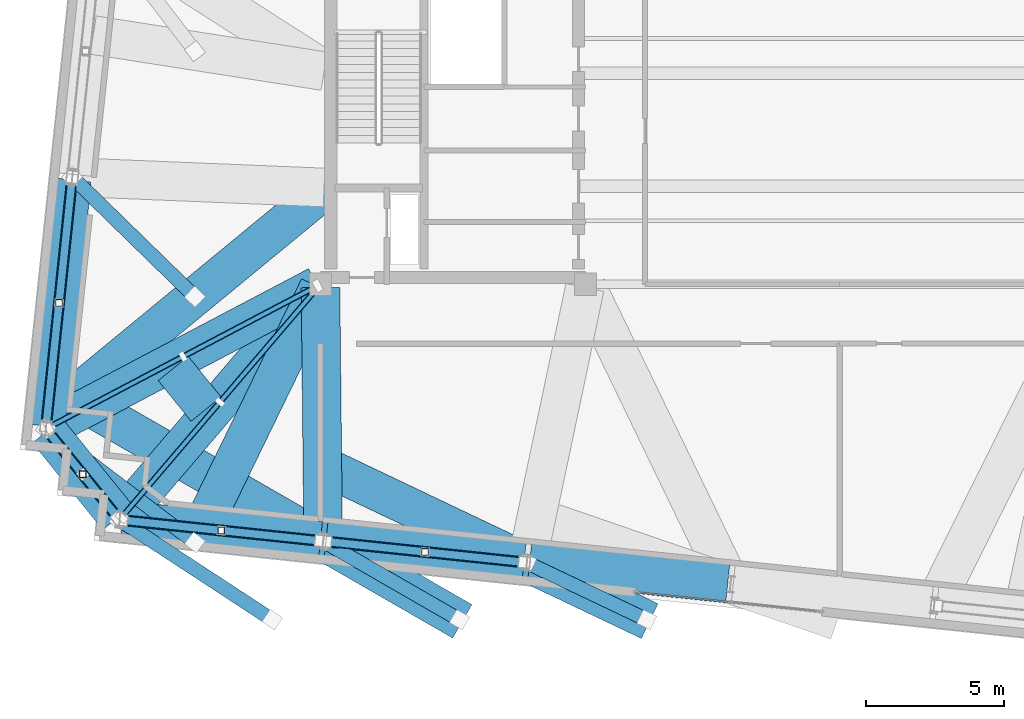
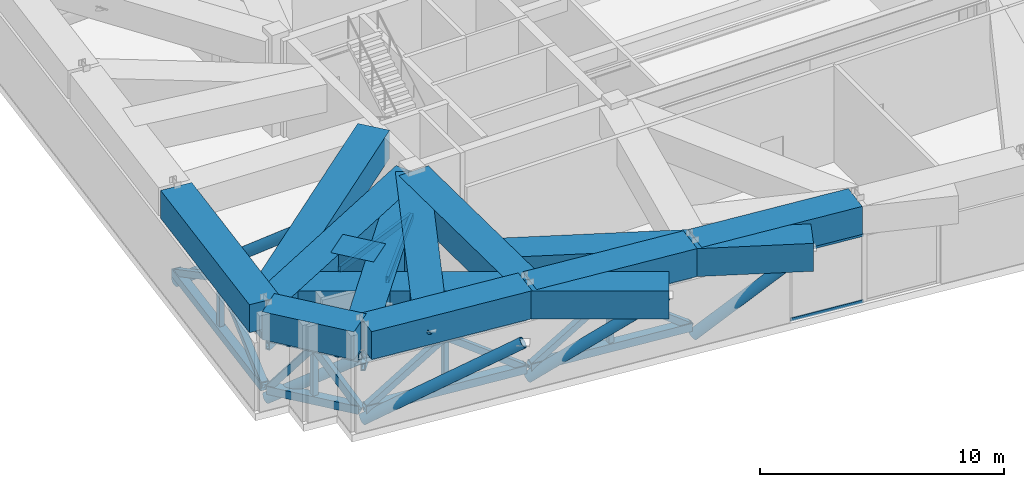
# One storey, part 4 of 21: 33 members, 13 beams, 1 element without a shape of its own.
"""IFC4 building model written with IfcOpenShell, lengths in metres."""

from ifc_helpers import new_model, si_unit, direction, frame, origin, origin_2d, place, context, subcontext, project, spatial, rectangle, hollow_rectangle, hollow_circle, extrude, material, layer, layer_set, material_profile, profile_set, type_object, element, aggregate, save


model = new_model("IFC4")

# Units and contexts
model_context = context("Model", 3, precision=1e-05, world=origin(), true_north=direction((0.0, 1.0)))
body_context = subcontext(model_context, "Body", "Model", "MODEL_VIEW")
ifc_project = project(units=[si_unit("LENGTHUNIT", "METRE"), si_unit("AREAUNIT", "SQUARE_METRE"), si_unit("VOLUMEUNIT", "CUBIC_METRE"), si_unit("PLANEANGLEUNIT", "RADIAN"), si_unit("MASSUNIT", "GRAM", prefix="KILO")], contexts=[model_context])

# Site, building, storey
site_placement = place(None, origin())
site = spatial("IfcSite", under=ifc_project, at=site_placement, CompositionType="ELEMENT")
building_placement = place(site_placement, origin())
building = spatial("IfcBuilding", under=site, at=building_placement, Name="Qobustan Lattice House", CompositionType="ELEMENT")
storey_placement = place(building_placement, frame((0.0, 0.0, 223.199951171875)))
storey = spatial("IfcBuildingStorey", under=building, at=storey_placement, Name="L63", CompositionType="ELEMENT", Elevation=223.199951171875)

# Beams
ifc_material_1 = material(Name="Concrete C60/75", Category="concrete")
ifc_material_profile_1 = material_profile(ifc_material_1, rectangle(XDim=1.39990234375, YDim=1.39990234375, at=origin_2d()), Name="RC1400x1400")
ifc_profile_set_1 = profile_set([ifc_material_profile_1], Name="Concrete C60/75")
beam_type = type_object("IfcBeamType", Name="BM-TRG-RC1400", PredefinedType="USERDEFINED", material=ifc_profile_set_1)
for number, where, z_axis, x_axis, name in (
    (1, (-25.9794921875, -14.14306640625, 4.1201171875), (0.994524529937, -0.104503393985, 0.0), (0.104503393985, 0.994524529937, 0.0), "L63 TT4 lower perimeter transfer girder S1-S2"),
    (2, (-18.603515625, -14.918212890625, 4.1201171875), (0.994521013309, -0.10453685516, 0.0), (0.10453685516, 0.994521013309, 0.0), "L63 TT4 lower perimeter transfer girder S2-S3"),
    (3, (-11.227294921875, -15.693603515625, 4.1201171875), (0.994524529937, -0.104503393985, 0.0), (0.104503393985, 0.994524529937, 0.0), "L63 TT4 lower perimeter transfer girder S3-S4"),
):
    element("IfcBeam", number, at=place(storey_placement, frame(where, z_axis=z_axis, x_axis=x_axis)), inside=storey, type_object=beam_type, Name=name, ObjectType="GIRDER", PredefinedType="USERDEFINED", context=body_context, shape_type="SweptSolid", body=[
        extrude(rectangle(XDim=1.39990234375, YDim=1.39990234375, at=origin_2d()), origin(), (0.0, 0.0, 1.0), 7.216552734375),
    ])
beam_1_placement = place(storey_placement, frame((-27.80126953125, -1.818359375, 4.1201171875), z_axis=(-0.104500528433, -0.994524831041, 0.0), x_axis=(0.994524831041, -0.104500528433, 0.0)))
element("IfcBeam", 4, at=beam_1_placement, inside=storey, type_object=beam_type, Name="L63 TT4 lower perimeter transfer girder W3-W4", ObjectType="GIRDER", PredefinedType="USERDEFINED", context=body_context, shape_type="SweptSolid", body=[
    extrude(rectangle(XDim=1.39990234375, YDim=1.39990234375, at=origin_2d()), origin(), (0.0, 0.0, 1.0), 8.966552734375),
])
beam_2_placement = place(storey_placement, frame((-28.68603515625, -10.9130859375, 4.1201171875), z_axis=(0.629345888362, -0.777125313448, 0.0), x_axis=(0.777125313448, 0.629345888362, 0.0)))
element("IfcBeam", 5, at=beam_2_placement, inside=storey, type_object=beam_type, Name="L63 TT4 lower perimeter transfer girder W4-S1", ObjectType="GIRDER", PredefinedType="USERDEFINED", context=body_context, shape_type="SweptSolid", body=[
    extrude(rectangle(XDim=1.39990234375, YDim=1.39990234375, at=origin_2d()), origin(), (0.0, 0.0, 1.0), 4.04248046875),
])
beam_3_placement = place(storey_placement, frame((-18.8779296875, -5.69140625, 4.1201171875), z_axis=(-0.6490181811, -0.760772896864, 0.0), x_axis=(0.760772896864, -0.6490181811, 0.0)))
element("IfcBeam", 6, at=beam_3_placement, inside=storey, type_object=beam_type, Name="L63 TT4 radial transfer girder S1", ObjectType="GIRDER", PredefinedType="USERDEFINED", context=body_context, shape_type="SweptSolid", body=[
    extrude(rectangle(XDim=1.39990234375, YDim=1.39990234375, at=origin_2d()), origin(), (0.0, 0.0, 1.0), 10.9755859375),
])
beam_4_placement = place(storey_placement, frame((-18.798583984375, -5.719970703125, 4.1201171875), z_axis=(0.01041918616, -0.999945718807, 0.0), x_axis=(0.999945718807, 0.01041918616, 0.0)))
element("IfcBeam", 7, at=beam_4_placement, inside=storey, type_object=beam_type, Name="L63 TT4 radial transfer girder S2", ObjectType="GIRDER", PredefinedType="USERDEFINED", context=body_context, shape_type="SweptSolid", body=[
    extrude(rectangle(XDim=1.39990234375, YDim=1.39990234375, at=origin_2d()), origin(), (0.0, 0.0, 1.0), 9.068115234375),
])
beam_5_placement = place(storey_placement, frame((-18.90625, -5.656005859375, 4.1201171875), z_axis=(-0.884959134298, -0.465668691907, 0.0), x_axis=(0.465668691907, -0.884959134298, 0.0)))
element("IfcBeam", 8, at=beam_5_placement, inside=storey, type_object=beam_type, Name="L63 TT4 radial transfer girder W4", ObjectType="GIRDER", PredefinedType="USERDEFINED", context=body_context, shape_type="SweptSolid", body=[
    extrude(rectangle(XDim=1.39990234375, YDim=1.39990234375, at=origin_2d()), origin(), (0.0, 0.0, 1.0), 11.001953125),
])
beam_6_placement = place(storey_placement, frame((-22.94189453125, -10.121826171875, 4.1201171875), z_axis=(-0.629354003281, 0.777118741605, 0.0), x_axis=(-0.777118741605, -0.629354003281, 0.0)))
element("IfcBeam", 9, at=beam_6_placement, inside=storey, type_object=beam_type, Name="L63 TT4 quadrant transfer tie girder 3", ObjectType="GIRDER", PredefinedType="USERDEFINED", context=body_context, shape_type="SweptSolid", body=[
    extrude(rectangle(XDim=1.39990234375, YDim=1.39990234375, at=origin_2d()), origin(), (0.0, 0.0, 1.0), 1.8935546875),
])
beam_7_placement = place(storey_placement, frame((-27.004638671875, -10.12744140625, 4.1201171875), z_axis=(0.86660583318, -0.498993316487, 0.0), x_axis=(0.498993316487, 0.86660583318, 0.0)))
element("IfcBeam", 10, at=beam_7_placement, inside=storey, type_object=beam_type, Name="L63 TT4 primary column transfer girder S2", ObjectType="GIRDER", PredefinedType="USERDEFINED", context=body_context, shape_type="SweptSolid", body=[
    extrude(rectangle(XDim=1.39990234375, YDim=1.39990234375, at=origin_2d()), origin(), (0.0, 0.0, 1.0), 15.395751953125),
])
beam_8_placement = place(storey_placement, frame((-18.532958984375, -12.25390625, 4.1201171875), z_axis=(0.902974786236, -0.42969353663, 0.0), x_axis=(0.42969353663, 0.902974786236, 0.0)))
element("IfcBeam", 11, at=beam_8_placement, inside=storey, type_object=beam_type, Name="L63 TT4 primary column transfer girder S3", ObjectType="GIRDER", PredefinedType="USERDEFINED", context=body_context, shape_type="SweptSolid", body=[
    extrude(rectangle(XDim=1.39990234375, YDim=1.39990234375, at=origin_2d()), origin(), (0.0, 0.0, 1.0), 12.91064453125),
])
beam_9_placement = place(storey_placement, frame((-18.642578125, -2.17626953125, 4.1201171875), z_axis=(-0.772166062946, -0.635420782816, 0.0), x_axis=(0.635420782816, -0.772166062946, 0.0)))
element("IfcBeam", 12, at=beam_9_placement, inside=storey, type_object=beam_type, Name="L63 TT4 primary column transfer girder W3", ObjectType="GIRDER", PredefinedType="USERDEFINED", context=body_context, shape_type="SweptSolid", body=[
    extrude(rectangle(XDim=1.39990234375, YDim=1.39990234375, at=origin_2d()), origin(), (0.0, 0.0, 1.0), 12.817138671875),
])
beam_10_placement = place(storey_placement, frame((-18.8525390625, -5.7080078125, 4.1201171875), z_axis=(-0.437573026577, -0.899182877068, 0.0), x_axis=(0.899182877068, -0.437573026577, 0.0)))
element("IfcBeam", 13, at=beam_10_placement, inside=storey, type_object=beam_type, Name="L63 TT4 primary column transfer girder W4", ObjectType="GIRDER", PredefinedType="USERDEFINED", context=body_context, shape_type="SweptSolid", body=[
    extrude(rectangle(XDim=1.39990234375, YDim=1.39990234375, at=origin_2d()), origin(), (0.0, 0.0, 1.0), 9.496826171875),
])

# Curtain wall, members
ifc_material_2 = material(Name="Anodised aluminium and low-E glazing", Category="aluminium")
ifc_layer = layer(ifc_material_2, 0.219970703125)
ifc_layer_set = layer_set([ifc_layer], Name="Anodised aluminium and low-E glazing")
curtain_wall_type = type_object("IfcCurtainWallType", Name="CW-TRN-01", PredefinedType="USERDEFINED", material=ifc_layer_set)
curtain_wall_placement = place(storey_placement, origin())
curtain_wall = element("IfcCurtainWall", 14, at=curtain_wall_placement, inside=storey, type_object=curtain_wall_type, Name="L63 S transfer sky-lobby curtain wall", ObjectType="CURTAIN WALL", PredefinedType="USERDEFINED")
ifc_material_3 = material(Name="Anodised aluminium EN AW-6063 T6", Category="aluminium")
ifc_material_profile_2 = material_profile(ifc_material_3, hollow_rectangle(XDim=0.06494140625, YDim=0.159912109375, WallThickness=0.00390625, at=origin_2d()), Name="CWT-160x65")
ifc_profile_set_2 = profile_set([ifc_material_profile_2], Name="Anodised aluminium EN AW-6063 T6")
member_type_1 = type_object("IfcMemberType", Name="CWT-HOR-160", PredefinedType="USERDEFINED", material=ifc_profile_set_2)
member_1_placement = place(storey_placement, frame((-4.05859375, -17.1005859375, 0.032470703125), z_axis=(-0.994516459614, 0.104580168083, 0.0), x_axis=(-0.104580168083, -0.994516459614, 0.0)))
member_1 = element("IfcMember", 15, at=member_1_placement, type_object=member_type_1, Name="CW-TR transom 2.1", ObjectType="TRANSOM", PredefinedType="USERDEFINED", context=body_context, shape_type="SweptSolid", body=[
    extrude(hollow_rectangle(XDim=0.06494140625, YDim=0.159912109375, WallThickness=0.00390625, at=origin_2d()), origin(), (0.0, 0.0, 1.0), 3.280029296875),
])
member_2_placement = place(storey_placement, frame((-4.05859375, -17.1005859375, 3.37255859375), z_axis=(-0.994516459614, 0.104580168083, 0.0), x_axis=(-0.104580168083, -0.994516459614, 0.0)))
member_2 = element("IfcMember", 16, at=member_2_placement, type_object=member_type_1, Name="CW-TR transom 2.2", ObjectType="TRANSOM", PredefinedType="USERDEFINED", context=body_context, shape_type="SweptSolid", body=[
    extrude(hollow_rectangle(XDim=0.06494140625, YDim=0.159912109375, WallThickness=0.00390625, at=origin_2d()), origin(), (0.0, 0.0, 1.0), 3.280029296875),
])
aggregate(curtain_wall, [member_1, member_2])

# Members
ifc_material_4 = material(Name="Steel S355", Category="steel")
ifc_material_profile_3 = material_profile(ifc_material_4, hollow_rectangle(XDim=0.14990234375, YDim=0.300048828125, WallThickness=0.012451171875, at=origin_2d()), Name="RHS300x150x12.5")
ifc_profile_set_3 = profile_set([ifc_material_profile_3], Name="Steel S355")
member_type_2 = type_object("IfcMemberType", Name="MEM-BRC-RHS300", PredefinedType="BRACE", material=ifc_profile_set_3)
member_3_placement = place(storey_placement, frame((-18.90625, -5.656005859375, 2.550048828125), z_axis=(-0.8799022037, -0.463029780513, 0.106656149766), x_axis=(0.465686070226, -0.884949989546, 0.0)))
element("IfcMember", 17, at=member_3_placement, inside=storey, type_object=member_type_2, Name="L63 TT4 outrigger diagonal OUT-WS-1", PredefinedType="BRACE", context=body_context, shape_type="SweptSolid", body=[
    extrude(hollow_rectangle(XDim=0.14990234375, YDim=0.300048828125, WallThickness=0.012451171875, at=origin_2d()), origin(), (0.0, 0.0, 1.0), 5.53271484375),
])
member_4_placement = place(storey_placement, frame((-23.7744140625, -8.2177734375, 3.14013671875), z_axis=(-0.879920181858, -0.462995112741, -0.106658328964), x_axis=(0.465651313049, -0.884968278898, 0.0)))
element("IfcMember", 18, at=member_4_placement, inside=storey, type_object=member_type_2, Name="L63 TT4 outrigger diagonal OUT-WS-2", PredefinedType="BRACE", context=body_context, shape_type="SweptSolid", body=[
    extrude(hollow_rectangle(XDim=0.14990234375, YDim=0.300048828125, WallThickness=0.012451171875, at=origin_2d()), origin(), (0.0, 0.0, 1.0), 5.532470703125),
])
member_5_placement = place(storey_placement, frame((-18.8779296875, -5.69140625, 2.550048828125), z_axis=(-0.645296211622, -0.756413848282, 0.106915337503), x_axis=(0.7607745103, -0.64901628984, 0.0)))
element("IfcMember", 19, at=member_5_placement, inside=storey, type_object=member_type_2, Name="L63 TT4 outrigger diagonal OUT-WN-1", PredefinedType="BRACE", context=body_context, shape_type="SweptSolid", body=[
    extrude(hollow_rectangle(XDim=0.14990234375, YDim=0.300048828125, WallThickness=0.012451171875, at=origin_2d()), origin(), (0.0, 0.0, 1.0), 5.519287109375),
])
member_6_placement = place(storey_placement, frame((-22.439453125, -9.8662109375, 3.14013671875), z_axis=(-0.64530043495, -0.756411182266, -0.106908708703), x_axis=(0.760771283523, -0.649020072237, 0.0)))
element("IfcMember", 20, at=member_6_placement, inside=storey, type_object=member_type_2, Name="L63 TT4 outrigger diagonal OUT-WN-2", PredefinedType="BRACE", context=body_context, shape_type="SweptSolid", body=[
    extrude(hollow_rectangle(XDim=0.14990234375, YDim=0.300048828125, WallThickness=0.012451171875, at=origin_2d()), origin(), (0.0, 0.0, 1.0), 5.51953125),
])
ifc_material_5 = material(Name="Steel S355", Category="steel")
ifc_material_profile_4 = material_profile(ifc_material_5, hollow_rectangle(XDim=0.300048828125, YDim=0.300048828125, WallThickness=0.01611328125, at=origin_2d()), Name="SHS300x300x16")
ifc_profile_set_4 = profile_set([ifc_material_profile_4], Name="Steel S355")
member_type_3 = type_object("IfcMemberType", Name="MEM-BRC-SHS300", PredefinedType="BRACE", material=ifc_profile_set_4)
member_7_placement = place(storey_placement, frame((-25.9794921875, -14.14306640625, 0.550048828125), z_axis=(0.807916613296, -0.084870271529, 0.583153310006), x_axis=(0.104473447549, 0.994527676215, 0.0)))
element("IfcMember", 21, at=member_7_placement, inside=storey, type_object=member_type_3, Name="L63 TT4 belt truss web diagonal S1-S2 A", PredefinedType="BRACE", context=body_context, shape_type="SweptSolid", body=[
    extrude(hollow_rectangle(XDim=0.300048828125, YDim=0.300048828125, WallThickness=0.01611328125, at=origin_2d()), origin(), (0.0, 0.0, 1.0), 4.44140625),
])
for number, where, z_axis, x_axis, name in (
    (22, (-22.39111328125, -14.52001953125, 3.14013671875), (0.807931930746, -0.084921071706, -0.583124692379), (0.104533338099, 0.994521382991, 0.0), "L63 TT4 belt truss web diagonal S1-S2 B"),
    (23, (-18.603515625, -14.918212890625, 0.550048828125), (0.807931930746, -0.084921071706, 0.583124692379), (0.104533338099, 0.994521382991, 0.0), "L63 TT4 belt truss web diagonal S2-S3 A"),
    (24, (-15.014892578125, -15.29541015625, 3.14013671875), (0.807912843065, -0.084924843008, -0.583150588657), (0.104540372455, 0.99452064359, 0.0), "L63 TT4 belt truss web diagonal S2-S3 B"),
):
    element("IfcMember", number, at=place(storey_placement, frame(where, z_axis=z_axis, x_axis=x_axis)), inside=storey, type_object=member_type_3, Name=name, PredefinedType="BRACE", context=body_context, shape_type="SweptSolid", body=[
        extrude(hollow_rectangle(XDim=0.300048828125, YDim=0.300048828125, WallThickness=0.01611328125, at=origin_2d()), origin(), (0.0, 0.0, 1.0), 4.441650390625),
    ])
for number, where, z_axis, x_axis, name in (
    (25, (-27.80126953125, -1.818359375, 0.550048828125), (-0.090485593146, -0.861145590216, 0.500240572009), (0.994524831041, -0.104500528433, 0.0), "L63 TT4 belt truss web diagonal W3-W4 A"),
    (26, (-28.269775390625, -6.277099609375, 3.14013671875), (-0.090485593146, -0.861145590216, -0.500240572009), (0.994524831041, -0.104500528433, 0.0), "L63 TT4 belt truss web diagonal W3-W4 B"),
):
    element("IfcMember", number, at=place(storey_placement, frame(where, z_axis=z_axis, x_axis=x_axis)), inside=storey, type_object=member_type_3, Name=name, PredefinedType="BRACE", context=body_context, shape_type="SweptSolid", body=[
        extrude(hollow_rectangle(XDim=0.300048828125, YDim=0.300048828125, WallThickness=0.01611328125, at=origin_2d()), origin(), (0.0, 0.0, 1.0), 5.177734375),
    ])
for number, where, z_axis, x_axis, name in (
    (27, (-28.68603515625, -10.9130859375, 0.550048828125), (0.387221747084, -0.47810107863, 0.78833918918), (0.777095777118, 0.629382358496, 0.0), "L63 TT4 belt truss web diagonal W4-S1 A"),
    (28, (-27.413818359375, -12.48388671875, 3.14013671875), (0.3871585777, -0.478114834726, -0.788361871559), (0.777154850312, 0.62930941407, 0.0), "L63 TT4 belt truss web diagonal W4-S1 B"),
):
    element("IfcMember", number, at=place(storey_placement, frame(where, z_axis=z_axis, x_axis=x_axis)), inside=storey, type_object=member_type_3, Name=name, PredefinedType="BRACE", context=body_context, shape_type="SweptSolid", body=[
        extrude(hollow_rectangle(XDim=0.300048828125, YDim=0.300048828125, WallThickness=0.01611328125, at=origin_2d()), origin(), (0.0, 0.0, 1.0), 3.285400390625),
    ])
ifc_material_6 = material(Name="Steel S355", Category="steel")
ifc_material_profile_5 = material_profile(ifc_material_6, hollow_rectangle(XDim=0.199951171875, YDim=0.39990234375, WallThickness=0.01611328125, at=origin_2d()), Name="RHS400x200x16")
ifc_profile_set_5 = profile_set([ifc_material_profile_5], Name="Steel S355")
member_type_4 = type_object("IfcMemberType", Name="MEM-CHD-RHS400", PredefinedType="CHORD", material=ifc_profile_set_5)
member_8_placement = place(storey_placement, frame((-18.90625, -5.656005859375, 2.550048828125), z_axis=(-0.884959134298, -0.465668691907, 0.0), x_axis=(0.465668691907, -0.884959134298, 0.0)))
element("IfcMember", 29, at=member_8_placement, inside=storey, type_object=member_type_4, Name="L63 TT4 outrigger chord OUT-WS", PredefinedType="CHORD", context=body_context, shape_type="SweptSolid", body=[
    extrude(hollow_rectangle(XDim=0.199951171875, YDim=0.39990234375, WallThickness=0.01611328125, at=origin_2d()), origin(), (0.0, 0.0, 1.0), 11.001953125),
])
member_9_placement = place(storey_placement, frame((-18.8779296875, -5.69140625, 2.550048828125), z_axis=(-0.6490181811, -0.760772896864, 0.0), x_axis=(0.760772896864, -0.6490181811, 0.0)))
element("IfcMember", 30, at=member_9_placement, inside=storey, type_object=member_type_4, Name="L63 TT4 outrigger chord OUT-WN", PredefinedType="CHORD", context=body_context, shape_type="SweptSolid", body=[
    extrude(hollow_rectangle(XDim=0.199951171875, YDim=0.39990234375, WallThickness=0.01611328125, at=origin_2d()), origin(), (0.0, 0.0, 1.0), 10.9755859375),
])
ifc_material_7 = material(Name="Steel S355", Category="steel")
ifc_material_profile_6 = material_profile(ifc_material_7, hollow_rectangle(XDim=0.35009765625, YDim=0.35009765625, WallThickness=0.01611328125, at=origin_2d()), Name="SHS350x350x16")
ifc_profile_set_6 = profile_set([ifc_material_profile_6], Name="Steel S355")
member_type_5 = type_object("IfcMemberType", Name="MEM-CHD-SHS350", PredefinedType="CHORD", material=ifc_profile_set_6)
for number, where, z_axis, x_axis, name in (
    (31, (-25.9794921875, -14.14306640625, 3.14013671875), (0.994524529937, -0.104503393985, 0.0), (0.104503393985, 0.994524529937, 0.0), "L63 TT4 belt truss top chord S1-S2"),
    (32, (-18.603515625, -14.918212890625, 3.14013671875), (0.994521013309, -0.10453685516, 0.0), (0.10453685516, 0.994521013309, 0.0), "L63 TT4 belt truss top chord S2-S3"),
):
    element("IfcMember", number, at=place(storey_placement, frame(where, z_axis=z_axis, x_axis=x_axis)), inside=storey, type_object=member_type_5, Name=name, PredefinedType="CHORD", context=body_context, shape_type="SweptSolid", body=[
        extrude(hollow_rectangle(XDim=0.35009765625, YDim=0.35009765625, WallThickness=0.01611328125, at=origin_2d()), origin(), (0.0, 0.0, 1.0), 7.216552734375),
    ])
member_10_placement = place(storey_placement, frame((-27.80126953125, -1.818359375, 3.14013671875), z_axis=(-0.104500528433, -0.994524831041, 0.0), x_axis=(0.994524831041, -0.104500528433, 0.0)))
element("IfcMember", 33, at=member_10_placement, inside=storey, type_object=member_type_5, Name="L63 TT4 belt truss top chord W3-W4", PredefinedType="CHORD", context=body_context, shape_type="SweptSolid", body=[
    extrude(hollow_rectangle(XDim=0.35009765625, YDim=0.35009765625, WallThickness=0.01611328125, at=origin_2d()), origin(), (0.0, 0.0, 1.0), 8.966552734375),
])
member_11_placement = place(storey_placement, frame((-28.68603515625, -10.9130859375, 3.14013671875), z_axis=(0.629345888362, -0.777125313448, 0.0), x_axis=(0.777125313448, 0.629345888362, 0.0)))
element("IfcMember", 34, at=member_11_placement, inside=storey, type_object=member_type_5, Name="L63 TT4 belt truss top chord W4-S1", PredefinedType="CHORD", context=body_context, shape_type="SweptSolid", body=[
    extrude(hollow_rectangle(XDim=0.35009765625, YDim=0.35009765625, WallThickness=0.01611328125, at=origin_2d()), origin(), (0.0, 0.0, 1.0), 4.04248046875),
])
ifc_material_8 = material(Name="Steel S355", Category="steel")
ifc_material_profile_7 = material_profile(ifc_material_8, hollow_rectangle(XDim=0.39990234375, YDim=0.39990234375, WallThickness=0.02001953125, at=origin_2d()), Name="SHS400x400x20")
ifc_profile_set_7 = profile_set([ifc_material_profile_7], Name="Steel S355")
member_type_6 = type_object("IfcMemberType", Name="MEM-CHD-SHS400", PredefinedType="CHORD", material=ifc_profile_set_7)
for number, where, z_axis, x_axis, name in (
    (35, (-25.9794921875, -14.14306640625, 0.550048828125), (0.994524529937, -0.104503393985, 0.0), (0.104503393985, 0.994524529937, 0.0), "L63 TT4 belt truss bottom chord S1-S2"),
    (36, (-18.603515625, -14.918212890625, 0.550048828125), (0.994521013309, -0.10453685516, 0.0), (0.10453685516, 0.994521013309, 0.0), "L63 TT4 belt truss bottom chord S2-S3"),
):
    element("IfcMember", number, at=place(storey_placement, frame(where, z_axis=z_axis, x_axis=x_axis)), inside=storey, type_object=member_type_6, Name=name, PredefinedType="CHORD", context=body_context, shape_type="SweptSolid", body=[
        extrude(hollow_rectangle(XDim=0.39990234375, YDim=0.39990234375, WallThickness=0.02001953125, at=origin_2d()), origin(), (0.0, 0.0, 1.0), 7.216552734375),
    ])
member_12_placement = place(storey_placement, frame((-27.80126953125, -1.818359375, 0.550048828125), z_axis=(-0.104500528433, -0.994524831041, 0.0), x_axis=(0.994524831041, -0.104500528433, 0.0)))
element("IfcMember", 37, at=member_12_placement, inside=storey, type_object=member_type_6, Name="L63 TT4 belt truss bottom chord W3-W4", PredefinedType="CHORD", context=body_context, shape_type="SweptSolid", body=[
    extrude(hollow_rectangle(XDim=0.39990234375, YDim=0.39990234375, WallThickness=0.02001953125, at=origin_2d()), origin(), (0.0, 0.0, 1.0), 8.966552734375),
])
member_13_placement = place(storey_placement, frame((-28.68603515625, -10.9130859375, 0.550048828125), z_axis=(0.629345888362, -0.777125313448, 0.0), x_axis=(0.777125313448, 0.629345888362, 0.0)))
element("IfcMember", 38, at=member_13_placement, inside=storey, type_object=member_type_6, Name="L63 TT4 belt truss bottom chord W4-S1", PredefinedType="CHORD", context=body_context, shape_type="SweptSolid", body=[
    extrude(hollow_rectangle(XDim=0.39990234375, YDim=0.39990234375, WallThickness=0.02001953125, at=origin_2d()), origin(), (0.0, 0.0, 1.0), 4.04248046875),
])
ifc_material_9 = material(Name="Steel S355", Category="steel")
ifc_material_profile_8 = material_profile(ifc_material_9, hollow_rectangle(XDim=0.25, YDim=0.25, WallThickness=0.012451171875, at=origin_2d()), Name="SHS250x250x12.5")
ifc_profile_set_8 = profile_set([ifc_material_profile_8], Name="Steel S355")
member_type_7 = type_object("IfcMemberType", Name="MEM-PST-SHS250", PredefinedType="POST", material=ifc_profile_set_8)
for number, where, z_axis, x_axis, name in (
    (39, (-22.39111328125, -14.52001953125, 0.550048828125), (0.0, 0.0, 1.0), (1.0, 0.0, 0.0), "L63 TT4 belt truss vertical post S1-S2"),
    (40, (-15.014892578125, -15.29541015625, 0.550048828125), (0.0, 0.0, 1.0), (1.0, 0.0, 0.0), "L63 TT4 belt truss vertical post S2-S3"),
    (41, (-28.269775390625, -6.277099609375, 0.550048828125), (0.0, 0.0, 1.0), (1.0, 0.0, 0.0), "L63 TT4 belt truss vertical post W3-W4"),
    (42, (-27.413818359375, -12.48388671875, 0.550048828125), (0.0, 0.0, 1.0), (1.0, 0.0, 0.0), "L63 TT4 belt truss vertical post W4-S1"),
):
    element("IfcMember", number, at=place(storey_placement, frame(where, z_axis=z_axis, x_axis=x_axis)), inside=storey, type_object=member_type_7, Name=name, PredefinedType="POST", context=body_context, shape_type="SweptSolid", body=[
        extrude(hollow_rectangle(XDim=0.25, YDim=0.25, WallThickness=0.012451171875, at=origin_2d()), origin(), (0.0, 0.0, 1.0), 2.590087890625),
    ])
ifc_material_10 = material(Name="Steel S355", Category="steel")
ifc_material_profile_9 = material_profile(ifc_material_10, hollow_circle(Radius=0.25390625, WallThickness=0.02001953125, at=origin_2d()), Name="CHS508x20")
ifc_profile_set_9 = profile_set([ifc_material_profile_9], Name="Steel S355")
member_type_8 = type_object("IfcMemberType", Name="MEM-STR-CHS508", PredefinedType="STRUT", material=ifc_profile_set_9)
member_14_placement = place(storey_placement, frame((-26.0791015625, -14.132568359375, 0.01513671875), z_axis=(0.710800232576, -0.465047337223, 0.527725310661), x_axis=(0.547491258699, 0.836811401481, 0.0)))
element("IfcMember", 43, at=member_14_placement, inside=storey, type_object=member_type_8, Name="L63 TT4 column transfer strut S1", PredefinedType="STRUT", context=body_context, shape_type="SweptSolid", body=[
    extrude(hollow_circle(Radius=0.25390625, WallThickness=0.02001953125, at=origin_2d()), origin(), (0.0, 0.0, 1.0), 7.778564453125),
])
member_15_placement = place(storey_placement, frame((-18.702880859375, -14.90771484375, 0.01513671875), z_axis=(0.703060258892, -0.40481861289, 0.584660724715), x_axis=(0.498988831153, 0.866608415829, 0.0)))
element("IfcMember", 44, at=member_15_placement, inside=storey, type_object=member_type_8, Name="L63 TT4 column transfer strut S2", PredefinedType="STRUT", context=body_context, shape_type="SweptSolid", body=[
    extrude(hollow_circle(Radius=0.25390625, WallThickness=0.02001953125, at=origin_2d()), origin(), (0.0, 0.0, 1.0), 7.021240234375),
])
member_16_placement = place(storey_placement, frame((-11.326904296875, -15.68310546875, 0.01513671875), z_axis=(0.68686336409, -0.326849825214, 0.649143983126), x_axis=(0.429689266629, 0.902976818165, 0.0)))
element("IfcMember", 45, at=member_16_placement, inside=storey, type_object=member_type_8, Name="L63 TT4 column transfer strut S3", PredefinedType="STRUT", context=body_context, shape_type="SweptSolid", body=[
    extrude(hollow_circle(Radius=0.25390625, WallThickness=0.02001953125, at=origin_2d()), origin(), (0.0, 0.0, 1.0), 6.32373046875),
])
member_17_placement = place(storey_placement, frame((-27.790771484375, -1.718994140625, 0.01513671875), z_axis=(0.597000221105, -0.582263121799, 0.551869905859), x_axis=(0.698215641853, 0.715887503363, 0.0)))
element("IfcMember", 46, at=member_17_placement, inside=storey, type_object=member_type_8, Name="L63 TT4 column transfer strut W3", PredefinedType="STRUT", context=body_context, shape_type="SweptSolid", body=[
    extrude(hollow_circle(Radius=0.25390625, WallThickness=0.02001953125, at=origin_2d()), origin(), (0.0, 0.0, 1.0), 7.438232421875),
])
member_18_placement = place(storey_placement, frame((-28.748779296875, -10.835205078125, 0.01513671875), z_axis=(0.680560234501, -0.518706742291, 0.517475683214), x_axis=(0.606179744949, 0.795327678893, 0.0)))
element("IfcMember", 47, at=member_18_placement, inside=storey, type_object=member_type_8, Name="L63 TT4 column transfer strut W4", PredefinedType="STRUT", context=body_context, shape_type="SweptSolid", body=[
    extrude(hollow_circle(Radius=0.25390625, WallThickness=0.02001953125, at=origin_2d()), origin(), (0.0, 0.0, 1.0), 7.9326171875),
])

save(model, "model.ifc")
